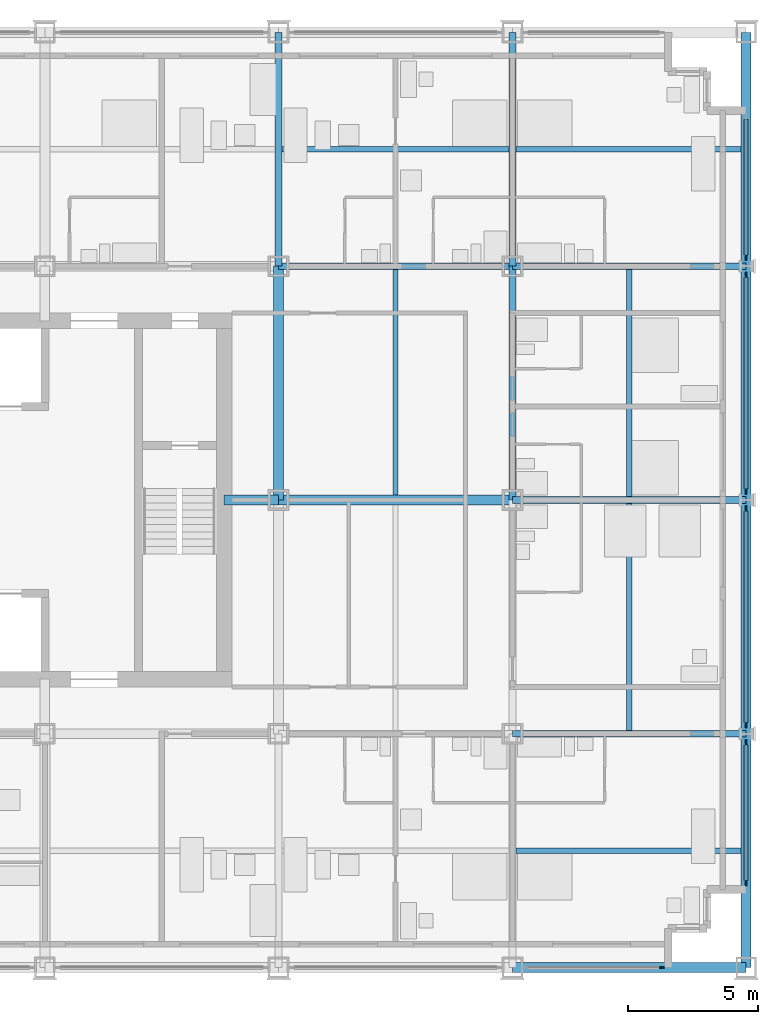
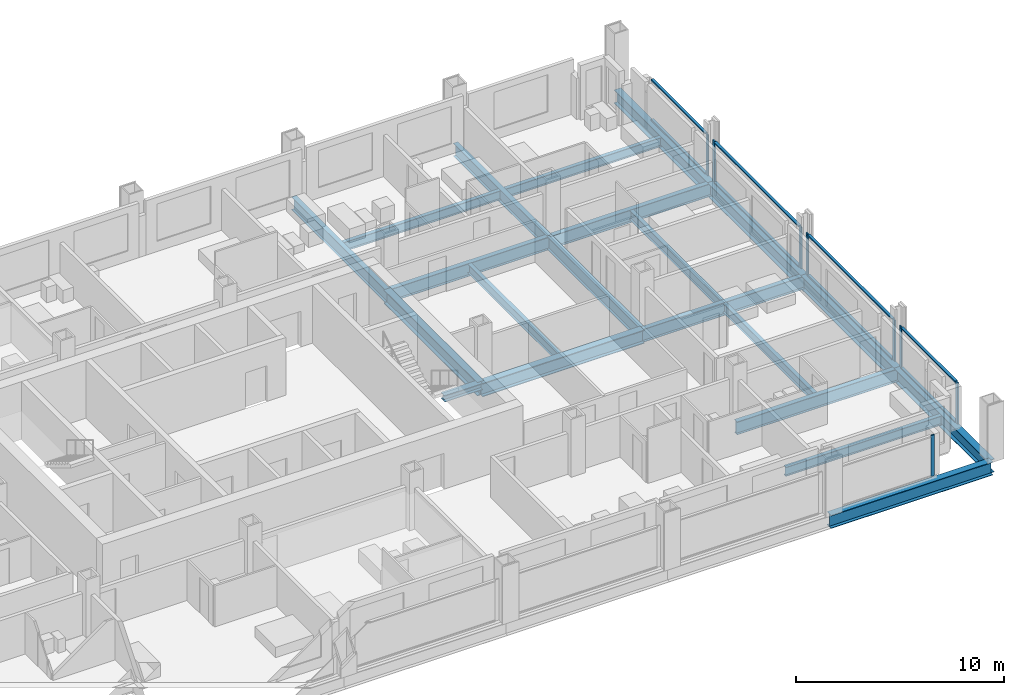
# One storey, part 6 of 18: 20 beams, 17 members, 5 elements without a shape of their own.
"""IFC4 building model written with IfcOpenShell, lengths in metres."""

from ifc_helpers import new_model, si_unit, direction, frame, origin, origin_2d, place, context, subcontext, project, spatial, rectangle, i_section, extrude, material, material_profile, profile_set, type_object, element, aggregate, save


model = new_model("IFC4")

# Units and contexts
model_context = context("Model", 3, precision=1e-05, world=origin(), true_north=direction((0.0, 1.0)))
body_context = subcontext(model_context, "Body", "Model", "MODEL_VIEW")
ifc_project = project(units=[si_unit("LENGTHUNIT", "METRE"), si_unit("AREAUNIT", "SQUARE_METRE"), si_unit("VOLUMEUNIT", "CUBIC_METRE"), si_unit("PLANEANGLEUNIT", "RADIAN"), si_unit("MASSUNIT", "GRAM", prefix="KILO")], contexts=[model_context])

# Site, building, storey
site_placement = place(None, origin())
site = spatial("IfcSite", under=ifc_project, at=site_placement, CompositionType="ELEMENT")
building_placement = place(site_placement, origin())
building = spatial("IfcBuilding", under=site, at=building_placement, Name="Loomwork Tower", CompositionType="ELEMENT")
storey_placement = place(building_placement, frame((0.0, 0.0, 79.0)))
storey = spatial("IfcBuildingStorey", under=building, at=storey_placement, Name="L20", CompositionType="ELEMENT", Elevation=79.0)

# Beams
ifc_material_1 = material(Name="Steel ASTM A992", Category="steel")
ifc_material_profile_1 = material_profile(ifc_material_1, i_section(OverallWidth=0.383544921875, OverallDepth=0.794921875, WebThickness=0.02099609375, FlangeThickness=0.0380859375, at=origin_2d()), Name="W30x235")
ifc_profile_set_1 = profile_set([ifc_material_profile_1], Name="Steel ASTM A992")
beam_type_1 = type_object("IfcBeamType", Name="CORE FLANK GIRDER W30x235", PredefinedType="BEAM", material=ifc_profile_set_1)
for number, where, z_axis, x_axis, name in (
    (1, (36.0, 18.0, -0.597412109375), (1.0, 0.0, 0.0), (0.0, 1.0, 0.0), "Core Flank Girder F/6-F/7 L20"),
    (2, (36.0, 18.0, -0.597412109375), (0.0, 1.0, 0.0), (-1.0, 0.0, 0.0), "Core Flank Girder F/6-G/6 L20"),
):
    element("IfcBeam", number, at=place(storey_placement, frame(where, z_axis=z_axis, x_axis=x_axis)), inside=storey, type_object=beam_type_1, Name=name, PredefinedType="BEAM", context=body_context, shape_type="SweptSolid", body=[
        extrude(i_section(OverallWidth=0.383544921875, OverallDepth=0.794921875, WebThickness=0.02099609375, FlangeThickness=0.0380859375, at=origin_2d()), origin(), (0.0, 0.0, 1.0), 9.0),
    ])

# Member
ifc_material_2 = material(Name="Steel ASTM A992", Category="steel")
ifc_material_profile_2 = material_profile(ifc_material_2, i_section(OverallWidth=0.373291015625, OverallDepth=0.373291015625, WebThickness=0.016357421875, FlangeThickness=0.026123046875, at=origin_2d()), Name="W14x132")
ifc_profile_set_2 = profile_set([ifc_material_profile_2], Name="Steel ASTM A992")
member_type_1 = type_object("IfcMemberType", Name="CORE LINK STRUT W14x132", PredefinedType="STRUT", material=ifc_profile_set_2)
member_1_placement = place(storey_placement, frame((36.0, 18.0, -0.38671875), z_axis=(-1.0, 0.0, 0.0), x_axis=(0.0, -1.0, 0.0)))
element("IfcMember", 3, at=member_1_placement, inside=storey, type_object=member_type_1, Name="Core link strut F/6-33.900,18.000 L20", PredefinedType="STRUT", context=body_context, shape_type="SweptSolid", body=[
    extrude(i_section(OverallWidth=0.373291015625, OverallDepth=0.373291015625, WebThickness=0.016357421875, FlangeThickness=0.026123046875, at=origin_2d()), origin(), (0.0, 0.0, 1.0), 2.10009765625),
])

# Beams
ifc_material_3 = material(Name="Steel ASTM A992", Category="steel")
ifc_material_profile_3 = material_profile(ifc_material_3, i_section(OverallWidth=0.2666015625, OverallDepth=0.761962890625, WebThickness=0.014404296875, FlangeThickness=0.021484375, at=origin_2d()), Name="W30x116")
ifc_profile_set_3 = profile_set([ifc_material_profile_3], Name="Steel ASTM A992")
beam_type_2 = type_object("IfcBeamType", Name="FLOOR GIRDER W30x116", PredefinedType="BEAM", material=ifc_profile_set_3)
for number, where, z_axis, x_axis, name in (
    (4, (45.0, 9.0, -0.5810546875), (1.0, 0.0, 0.0), (0.0, 1.0, 0.0), "Floor Girder E/7-E/8 L20"),
    (5, (45.0, 18.0, -0.5810546875), (1.0, 0.0, 0.0), (0.0, 1.0, 0.0), "Floor Girder F/7-F/8 L20"),
    (6, (36.0, 27.0, -0.5810546875), (1.0, 0.0, 0.0), (0.0, 1.0, 0.0), "Floor Girder G/6-G/7 L20"),
    (7, (45.0, 27.0, -0.5810546875), (1.0, 0.0, 0.0), (0.0, 1.0, 0.0), "Floor Girder G/7-G/8 L20"),
    (8, (36.0, 27.0, -0.5810546875), (0.0, 1.0, 0.0), (-1.0, 0.0, 0.0), "Floor Girder G/6-H/6 L20"),
    (9, (45.0, 18.0, -0.5810546875), (0.0, 1.0, 0.0), (-1.0, 0.0, 0.0), "Floor Girder F/7-G/7 L20"),
    (10, (45.0, 27.0, -0.5810546875), (0.0, 1.0, 0.0), (-1.0, 0.0, 0.0), "Floor Girder G/7-H/7 L20"),
):
    element("IfcBeam", number, at=place(storey_placement, frame(where, z_axis=z_axis, x_axis=x_axis)), inside=storey, type_object=beam_type_2, Name=name, PredefinedType="BEAM", context=body_context, shape_type="SweptSolid", body=[
        extrude(i_section(OverallWidth=0.2666015625, OverallDepth=0.761962890625, WebThickness=0.014404296875, FlangeThickness=0.021484375, at=origin_2d()), origin(), (0.0, 0.0, 1.0), 9.0),
    ])
ifc_material_4 = material(Name="Steel ASTM A992", Category="steel")
ifc_material_profile_4 = material_profile(ifc_material_4, i_section(OverallWidth=0.2109375, OverallDepth=0.53857421875, WebThickness=0.011474609375, FlangeThickness=0.018798828125, at=origin_2d()), Name="W21x73")
ifc_profile_set_4 = profile_set([ifc_material_profile_4], Name="Steel ASTM A992")
beam_type_3 = type_object("IfcBeamType", Name="FLOOR JOIST W21x73", PredefinedType="JOIST", material=ifc_profile_set_4)
beam_1_placement = place(storey_placement, frame((40.5, 18.19091796875, -0.46923828125), z_axis=(0.0, 1.0, 0.0), x_axis=(-1.0, 0.0, 0.0)))
element("IfcBeam", 11, at=beam_1_placement, inside=storey, type_object=beam_type_3, Name="Floor Joist 40.500,18.000-40.500,27.000 L20", PredefinedType="JOIST", context=body_context, shape_type="SweptSolid", body=[
    extrude(i_section(OverallWidth=0.2109375, OverallDepth=0.53857421875, WebThickness=0.011474609375, FlangeThickness=0.018798828125, at=origin_2d()), origin(), (0.0, 0.0, 1.0), 8.676025390625),
])
beam_2_placement = place(storey_placement, frame((36.133056640625, 31.5, -0.46923828125), z_axis=(1.0, 0.0, 0.0), x_axis=(0.0, 1.0, 0.0)))
element("IfcBeam", 12, at=beam_2_placement, inside=storey, type_object=beam_type_3, Name="Floor Joist 36.000,31.500-45.000,31.500 L20", PredefinedType="JOIST", context=body_context, shape_type="SweptSolid", body=[
    extrude(i_section(OverallWidth=0.2109375, OverallDepth=0.53857421875, WebThickness=0.011474609375, FlangeThickness=0.018798828125, at=origin_2d()), origin(), (0.0, 0.0, 1.0), 8.73388671875),
])
beam_3_placement = place(storey_placement, frame((45.133056640625, 4.5, -0.46923828125), z_axis=(1.0, 0.0, 0.0), x_axis=(0.0, 1.0, 0.0)))
element("IfcBeam", 13, at=beam_3_placement, inside=storey, type_object=beam_type_3, Name="Floor Joist 45.000,4.500-54.000,4.500 L20", PredefinedType="JOIST", context=body_context, shape_type="SweptSolid", body=[
    extrude(i_section(OverallWidth=0.2109375, OverallDepth=0.53857421875, WebThickness=0.011474609375, FlangeThickness=0.018798828125, at=origin_2d()), origin(), (0.0, 0.0, 1.0), 8.677001953125),
])
for number, where, z_axis, x_axis, name in (
    (14, (49.5, 9.133056640625, -0.46923828125), (0.0, 1.0, 0.0), (-1.0, 0.0, 0.0), "Floor Joist 49.500,9.000-49.500,18.000 L20"),
    (15, (49.5, 18.133056640625, -0.46923828125), (0.0, 1.0, 0.0), (-1.0, 0.0, 0.0), "Floor Joist 49.500,18.000-49.500,27.000 L20"),
):
    element("IfcBeam", number, at=place(storey_placement, frame(where, z_axis=z_axis, x_axis=x_axis)), inside=storey, type_object=beam_type_3, Name=name, PredefinedType="JOIST", context=body_context, shape_type="SweptSolid", body=[
        extrude(i_section(OverallWidth=0.2109375, OverallDepth=0.53857421875, WebThickness=0.011474609375, FlangeThickness=0.018798828125, at=origin_2d()), origin(), (0.0, 0.0, 1.0), 8.73388671875),
    ])
beam_4_placement = place(storey_placement, frame((45.133056640625, 31.5, -0.46923828125), z_axis=(1.0, 0.0, 0.0), x_axis=(0.0, 1.0, 0.0)))
element("IfcBeam", 16, at=beam_4_placement, inside=storey, type_object=beam_type_3, Name="Floor Joist 45.000,31.500-54.000,31.500 L20", PredefinedType="JOIST", context=body_context, shape_type="SweptSolid", body=[
    extrude(i_section(OverallWidth=0.2109375, OverallDepth=0.53857421875, WebThickness=0.011474609375, FlangeThickness=0.018798828125, at=origin_2d()), origin(), (0.0, 0.0, 1.0), 8.677001953125),
])

# Curtain wall, member
ifc_material_5 = material(Name="Aluminium curtain wall frame", Category="aluminium")
curtain_wall_type = type_object("IfcCurtainWallType", Name="Outer skin glazing hotel", PredefinedType="NOTDEFINED", material=ifc_material_5)
curtain_wall_1_placement = place(storey_placement, origin())
curtain_wall_1 = element("IfcCurtainWall", 17, at=curtain_wall_1_placement, inside=storey, type_object=curtain_wall_type, Name="Outer skin glazing hotel cw/S-45", PredefinedType="NOTDEFINED")
ifc_material_6 = material(Name="Aluminium curtain wall frame", Category="aluminium")
ifc_material_profile_5 = material_profile(ifc_material_6, rectangle(XDim=0.06494140625, YDim=0.199951171875, at=origin_2d()), Name="AL 65x200")
ifc_profile_set_5 = profile_set([ifc_material_profile_5], Name="Aluminium curtain wall frame")
member_type_2 = type_object("IfcMemberType", Name="Outer skin glazing hotel mullion", PredefinedType="MULLION", material=ifc_profile_set_5)
member_2_placement = place(storey_placement, frame((50.75, 0.0, 0.0), z_axis=(0.0, 0.0, 1.0), x_axis=(0.0, 1.0, 0.0)))
member_2 = element("IfcMember", 18, at=member_2_placement, type_object=member_type_2, Name="CW1 mullion 2", PredefinedType="MULLION", context=body_context, shape_type="SweptSolid", body=[
    extrude(rectangle(XDim=0.06494140625, YDim=0.199951171875, at=origin_2d()), origin(), (0.0, 0.0, 1.0), 2.420166015625),
])
aggregate(curtain_wall_1, [member_2])

# Curtain wall, members
curtain_wall_2_placement = place(storey_placement, origin())
curtain_wall_2 = element("IfcCurtainWall", 19, at=curtain_wall_2_placement, inside=storey, type_object=curtain_wall_type, Name="Outer skin glazing hotel cw/E-0", PredefinedType="NOTDEFINED")
member_3_placement = place(storey_placement, frame((54.0, 3.25, 0.0), z_axis=(0.0, 0.0, 1.0), x_axis=(-1.0, 0.0, 0.0)))
member_3 = element("IfcMember", 20, at=member_3_placement, type_object=member_type_2, Name="CW1 mullion 1", PredefinedType="MULLION", context=body_context, shape_type="SweptSolid", body=[
    extrude(rectangle(XDim=0.06494140625, YDim=0.199951171875, at=origin_2d()), origin(), (0.0, 0.0, 1.0), 2.420166015625),
])
member_4_placement = place(storey_placement, frame((54.0, 8.672607421875, 0.0), z_axis=(0.0, 0.0, 1.0), x_axis=(-1.0, 0.0, 0.0)))
member_4 = element("IfcMember", 21, at=member_4_placement, type_object=member_type_2, Name="CW1 mullion 2", PredefinedType="MULLION", context=body_context, shape_type="SweptSolid", body=[
    extrude(rectangle(XDim=0.06494140625, YDim=0.199951171875, at=origin_2d()), origin(), (0.0, 0.0, 1.0), 2.420166015625),
])

curtain_wall_3_placement = place(storey_placement, origin())
curtain_wall_3 = element("IfcCurtainWall", 22, at=curtain_wall_3_placement, inside=storey, type_object=curtain_wall_type, Name="Outer skin glazing hotel cw/E-9", PredefinedType="NOTDEFINED")
member_5_placement = place(storey_placement, frame((54.0, 9.327392578125, 0.0), z_axis=(0.0, 0.0, 1.0), x_axis=(-1.0, 0.0, 0.0)))
member_5 = element("IfcMember", 23, at=member_5_placement, type_object=member_type_2, Name="CW1 mullion 1", PredefinedType="MULLION", context=body_context, shape_type="SweptSolid", body=[
    extrude(rectangle(XDim=0.06494140625, YDim=0.199951171875, at=origin_2d()), origin(), (0.0, 0.0, 1.0), 2.420166015625),
])
member_6_placement = place(storey_placement, frame((54.0, 17.672607421875, 0.0), z_axis=(0.0, 0.0, 1.0), x_axis=(-1.0, 0.0, 0.0)))
member_6 = element("IfcMember", 24, at=member_6_placement, type_object=member_type_2, Name="CW1 mullion 2", PredefinedType="MULLION", context=body_context, shape_type="SweptSolid", body=[
    extrude(rectangle(XDim=0.06494140625, YDim=0.199951171875, at=origin_2d()), origin(), (0.0, 0.0, 1.0), 2.420166015625),
])

curtain_wall_4_placement = place(storey_placement, origin())
curtain_wall_4 = element("IfcCurtainWall", 25, at=curtain_wall_4_placement, inside=storey, type_object=curtain_wall_type, Name="Outer skin glazing hotel cw/E-18", PredefinedType="NOTDEFINED")
member_7_placement = place(storey_placement, frame((54.0, 18.327392578125, 0.0), z_axis=(0.0, 0.0, 1.0), x_axis=(-1.0, 0.0, 0.0)))
member_7 = element("IfcMember", 26, at=member_7_placement, type_object=member_type_2, Name="CW1 mullion 1", PredefinedType="MULLION", context=body_context, shape_type="SweptSolid", body=[
    extrude(rectangle(XDim=0.06494140625, YDim=0.199951171875, at=origin_2d()), origin(), (0.0, 0.0, 1.0), 2.420166015625),
])
member_8_placement = place(storey_placement, frame((54.0, 26.672607421875, 0.0), z_axis=(0.0, 0.0, 1.0), x_axis=(-1.0, 0.0, 0.0)))
member_8 = element("IfcMember", 27, at=member_8_placement, type_object=member_type_2, Name="CW1 mullion 2", PredefinedType="MULLION", context=body_context, shape_type="SweptSolid", body=[
    extrude(rectangle(XDim=0.06494140625, YDim=0.199951171875, at=origin_2d()), origin(), (0.0, 0.0, 1.0), 2.420166015625),
])

# Curtain wall, member
curtain_wall_5_placement = place(storey_placement, origin())
curtain_wall_5 = element("IfcCurtainWall", 28, at=curtain_wall_5_placement, inside=storey, type_object=curtain_wall_type, Name="Outer skin glazing hotel cw/E-27", PredefinedType="NOTDEFINED")
member_9_placement = place(storey_placement, frame((54.0, 27.327392578125, 0.0), z_axis=(0.0, 0.0, 1.0), x_axis=(-1.0, 0.0, 0.0)))
member_9 = element("IfcMember", 29, at=member_9_placement, type_object=member_type_2, Name="CW1 mullion 1", PredefinedType="MULLION", context=body_context, shape_type="SweptSolid", body=[
    extrude(rectangle(XDim=0.06494140625, YDim=0.199951171875, at=origin_2d()), origin(), (0.0, 0.0, 1.0), 2.420166015625),
])

# Member
ifc_material_7 = material(Name="Aluminium curtain wall frame", Category="aluminium")
ifc_material_profile_6 = material_profile(ifc_material_7, rectangle(XDim=0.14990234375, YDim=0.06494140625, at=origin_2d()), Name="AL 65x150")
ifc_profile_set_6 = profile_set([ifc_material_profile_6], Name="Aluminium curtain wall frame")
member_type_3 = type_object("IfcMemberType", Name="Outer skin glazing hotel transom", PredefinedType="USERDEFINED", material=ifc_profile_set_6)
member_10_placement = place(storey_placement, frame((54.0, 3.35009765625, 0.032470703125), z_axis=(0.0, 1.0, 0.0), x_axis=(-1.0, 0.0, 0.0)))
member_10 = element("IfcMember", 30, at=member_10_placement, type_object=member_type_3, Name="CW1 transom 1.1", ObjectType="TRANSOM", PredefinedType="USERDEFINED", context=body_context, shape_type="SweptSolid", body=[
    extrude(rectangle(XDim=0.14990234375, YDim=0.06494140625, at=origin_2d()), origin(), (0.0, 0.0, 1.0), 5.22265625),
])

member_11_placement = place(storey_placement, frame((54.0, 3.35009765625, 2.3876953125), z_axis=(0.0, 1.0, 0.0), x_axis=(-1.0, 0.0, 0.0)))
member_11 = element("IfcMember", 31, at=member_11_placement, type_object=member_type_3, Name="CW1 transom 1.2", ObjectType="TRANSOM", PredefinedType="USERDEFINED", context=body_context, shape_type="SweptSolid", body=[
    extrude(rectangle(XDim=0.14990234375, YDim=0.06494140625, at=origin_2d()), origin(), (0.0, 0.0, 1.0), 5.22265625),
])

aggregate(curtain_wall_2, [member_3, member_4, member_10, member_11])

member_12_placement = place(storey_placement, frame((54.0, 9.42724609375, 0.032470703125), z_axis=(0.0, 1.0, 0.0), x_axis=(-1.0, 0.0, 0.0)))
member_12 = element("IfcMember", 32, at=member_12_placement, type_object=member_type_3, Name="CW1 transom 1.1", ObjectType="TRANSOM", PredefinedType="USERDEFINED", context=body_context, shape_type="SweptSolid", body=[
    extrude(rectangle(XDim=0.14990234375, YDim=0.06494140625, at=origin_2d()), origin(), (0.0, 0.0, 1.0), 8.1455078125),
])

member_13_placement = place(storey_placement, frame((54.0, 9.42724609375, 2.3876953125), z_axis=(0.0, 1.0, 0.0), x_axis=(-1.0, 0.0, 0.0)))
member_13 = element("IfcMember", 33, at=member_13_placement, type_object=member_type_3, Name="CW1 transom 1.2", ObjectType="TRANSOM", PredefinedType="USERDEFINED", context=body_context, shape_type="SweptSolid", body=[
    extrude(rectangle(XDim=0.14990234375, YDim=0.06494140625, at=origin_2d()), origin(), (0.0, 0.0, 1.0), 8.1455078125),
])

aggregate(curtain_wall_3, [member_5, member_6, member_12, member_13])

member_14_placement = place(storey_placement, frame((54.0, 18.42724609375, 0.032470703125), z_axis=(0.0, 1.0, 0.0), x_axis=(-1.0, 0.0, 0.0)))
member_14 = element("IfcMember", 34, at=member_14_placement, type_object=member_type_3, Name="CW1 transom 1.1", ObjectType="TRANSOM", PredefinedType="USERDEFINED", context=body_context, shape_type="SweptSolid", body=[
    extrude(rectangle(XDim=0.14990234375, YDim=0.06494140625, at=origin_2d()), origin(), (0.0, 0.0, 1.0), 8.1455078125),
])

member_15_placement = place(storey_placement, frame((54.0, 18.42724609375, 2.3876953125), z_axis=(0.0, 1.0, 0.0), x_axis=(-1.0, 0.0, 0.0)))
member_15 = element("IfcMember", 35, at=member_15_placement, type_object=member_type_3, Name="CW1 transom 1.2", ObjectType="TRANSOM", PredefinedType="USERDEFINED", context=body_context, shape_type="SweptSolid", body=[
    extrude(rectangle(XDim=0.14990234375, YDim=0.06494140625, at=origin_2d()), origin(), (0.0, 0.0, 1.0), 8.1455078125),
])

aggregate(curtain_wall_4, [member_7, member_8, member_14, member_15])

member_16_placement = place(storey_placement, frame((54.0, 27.42724609375, 0.032470703125), z_axis=(0.0, 1.0, 0.0), x_axis=(-1.0, 0.0, 0.0)))
member_16 = element("IfcMember", 36, at=member_16_placement, type_object=member_type_3, Name="CW1 transom 1.1", ObjectType="TRANSOM", PredefinedType="USERDEFINED", context=body_context, shape_type="SweptSolid", body=[
    extrude(rectangle(XDim=0.14990234375, YDim=0.06494140625, at=origin_2d()), origin(), (0.0, 0.0, 1.0), 5.22265625),
])

member_17_placement = place(storey_placement, frame((54.0, 27.42724609375, 2.3876953125), z_axis=(0.0, 1.0, 0.0), x_axis=(-1.0, 0.0, 0.0)))
member_17 = element("IfcMember", 37, at=member_17_placement, type_object=member_type_3, Name="CW1 transom 1.2", ObjectType="TRANSOM", PredefinedType="USERDEFINED", context=body_context, shape_type="SweptSolid", body=[
    extrude(rectangle(XDim=0.14990234375, YDim=0.06494140625, at=origin_2d()), origin(), (0.0, 0.0, 1.0), 5.22265625),
])

aggregate(curtain_wall_5, [member_9, member_16, member_17])

# Beams
ifc_material_8 = material(Name="Steel ASTM A992", Category="steel")
ifc_material_profile_7 = material_profile(ifc_material_8, i_section(OverallWidth=0.381103515625, OverallDepth=0.77978515625, WebThickness=0.01806640625, FlangeThickness=0.0302734375, at=origin_2d()), Name="W30x191")
ifc_profile_set_7 = profile_set([ifc_material_profile_7], Name="Steel ASTM A992")
beam_type_4 = type_object("IfcBeamType", Name="SPANDREL GIRDER W30x191", PredefinedType="SPANDREL", material=ifc_profile_set_7)
for number, where, z_axis, x_axis, name in (
    (38, (45.0, 0.0, -0.58984375), (1.0, 0.0, 0.0), (0.0, 1.0, 0.0), "Spandrel Girder D/7-D/8 L20"),
    (39, (54.0, 0.0, -0.58984375), (0.0, 1.0, 0.0), (-1.0, 0.0, 0.0), "Spandrel Girder D/8-E/8 L20"),
    (40, (54.0, 9.0, -0.58984375), (0.0, 1.0, 0.0), (-1.0, 0.0, 0.0), "Spandrel Girder E/8-F/8 L20"),
    (41, (54.0, 18.0, -0.58984375), (0.0, 1.0, 0.0), (-1.0, 0.0, 0.0), "Spandrel Girder F/8-G/8 L20"),
    (42, (54.0, 27.0, -0.58984375), (0.0, 1.0, 0.0), (-1.0, 0.0, 0.0), "Spandrel Girder G/8-H/8 L20"),
):
    element("IfcBeam", number, at=place(storey_placement, frame(where, z_axis=z_axis, x_axis=x_axis)), inside=storey, type_object=beam_type_4, Name=name, PredefinedType="SPANDREL", context=body_context, shape_type="SweptSolid", body=[
        extrude(i_section(OverallWidth=0.381103515625, OverallDepth=0.77978515625, WebThickness=0.01806640625, FlangeThickness=0.0302734375, at=origin_2d()), origin(), (0.0, 0.0, 1.0), 9.0),
    ])

save(model, "model.ifc")
